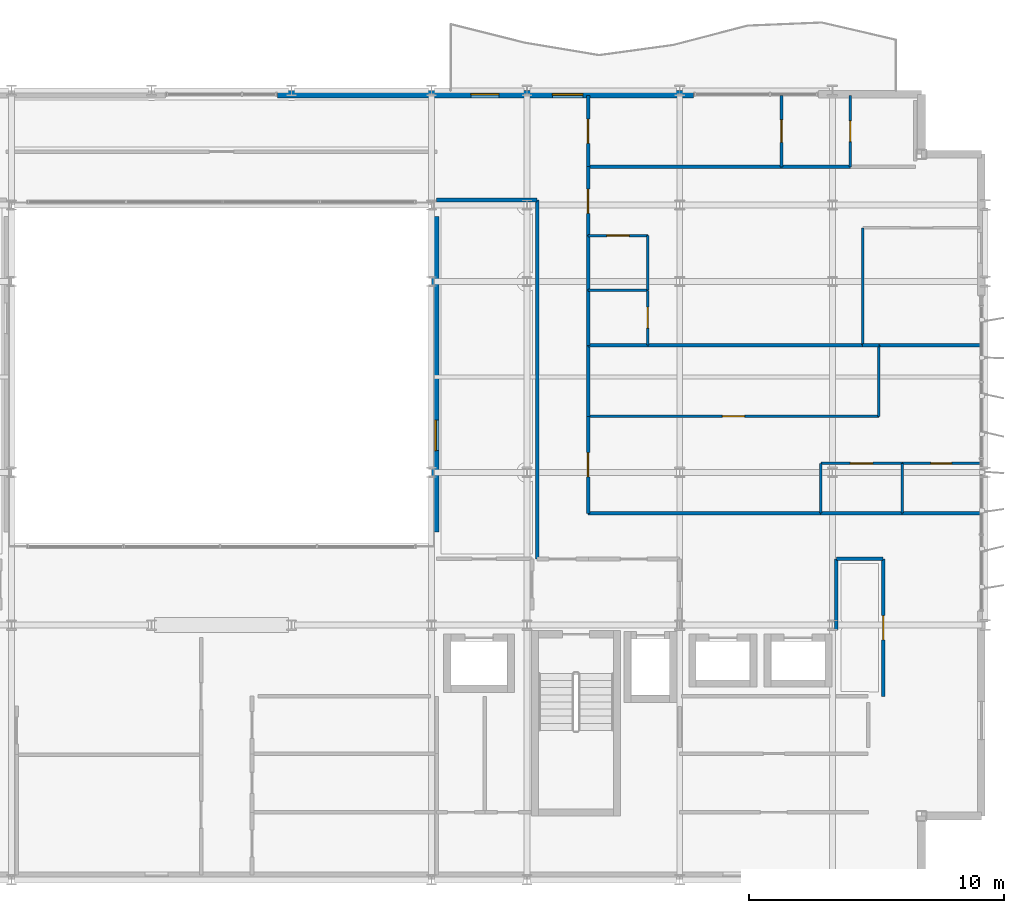
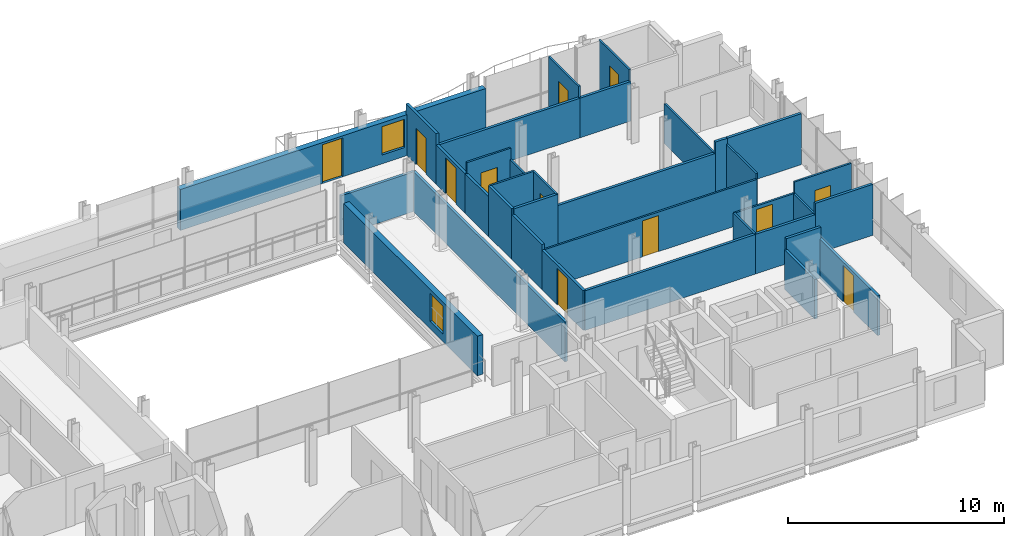
# One storey, part 33 of 39: 35 walls, 12 doors, 2 windows, 14 openings.
"""IFC4 building model written with IfcOpenShell, lengths in metres."""

from ifc_helpers import new_model, si_unit, direction, frame, frame_2d, origin, place, context, subcontext, project, spatial, rectangle, extrude, material, layer, layer_set, type_object, element, fill, save


model = new_model("IFC4")

# Units and contexts
model_context = context("Model", 3, precision=1e-05, world=origin(), true_north=direction((0.0, 1.0)))
body_context = subcontext(model_context, "Body", "Model", "MODEL_VIEW")
ifc_project = project(units=[si_unit("LENGTHUNIT", "METRE"), si_unit("AREAUNIT", "SQUARE_METRE"), si_unit("VOLUMEUNIT", "CUBIC_METRE"), si_unit("PLANEANGLEUNIT", "RADIAN"), si_unit("MASSUNIT", "GRAM", prefix="KILO")], contexts=[model_context])

# Site, building, storey
site_placement = place(None, origin())
site = spatial("IfcSite", under=ifc_project, at=site_placement, CompositionType="ELEMENT")
building_placement = place(site_placement, origin())
building = spatial("IfcBuilding", under=site, at=building_placement, Name="Brevholm Reach", CompositionType="ELEMENT")
storey_placement = place(building_placement, frame((0.0, 0.0, 154.199951171875)))
storey = spatial("IfcBuildingStorey", under=building, at=storey_placement, Name="L46", CompositionType="ELEMENT", Elevation=154.199951171875)

# Wall, openings, door, window
ifc_material_1 = material(Name="Concrete C40/50", Category="concrete")
ifc_layer_1 = layer(ifc_material_1, 0.300048828125)
ifc_layer_set_1 = layer_set([ifc_layer_1], Name="Concrete C40/50")
wall_type_1 = type_object("IfcWallType", Name="WAL-EXT-300", PredefinedType="STANDARD", material=ifc_layer_set_1)
wall_1_placement = place(storey_placement, frame((32.199951171875, 30.85009765625, 0.0), z_axis=(0.0, 0.0, 1.0), x_axis=(1.0, 0.0, 0.0)))
wall_1 = element("IfcWall", 1, at=wall_1_placement, inside=storey, type_object=wall_type_1, Name="L46 Facade Wall WAL-L46-NP-ER", PredefinedType="STANDARD", context=body_context, shape_type="SweptSolid", body=[
    extrude(rectangle(XDim=16.35009765625, YDim=0.300048828125, at=frame_2d((8.175048828125, 0.0))), origin(), (0.0, 0.0, 1.0), 2.322021484375),
])
opening_1_placement = place(wall_1_placement, frame((7.60009765625, 0.0, 0.0)))
opening_1 = element("IfcOpeningElement", 2, at=opening_1_placement, cuts=wall_1, Name="Opening BD-01", PredefinedType="OPENING", context=body_context, shape_type="SweptSolid", body=[
    extrude(rectangle(XDim=1.10009765625, YDim=2.199951171875, at=frame_2d((0.550048828125, 1.10009765625))), frame((0.0, 0.159912109375, 0.0), z_axis=(0.0, -1.0, 0.0), x_axis=(1.0, 0.0, 0.0)), (0.0, 0.0, 1.0), 0.320068359375),
])
opening_2_placement = place(wall_1_placement, frame((10.800048828125, 0.0, 0.501953125)))
opening_2 = element("IfcOpeningElement", 3, at=opening_2_placement, cuts=wall_1, Name="Opening WN-08", PredefinedType="OPENING", context=body_context, shape_type="SweptSolid", body=[
    extrude(rectangle(XDim=1.199951171875, YDim=1.60009765625, at=frame_2d((0.60009765625, 0.800048828125))), frame((0.0, 0.159912109375, 0.0), z_axis=(0.0, -1.0, 0.0), x_axis=(1.0, 0.0, 0.0)), (0.0, 0.0, 1.0), 0.320068359375),
])
ifc_material_2 = material(Name="Dark Anodised Aluminium and Triple-Glazed Glass", Category="aluminium")
door_type_1 = type_object("IfcDoorType", Name="DOR-BALC-1100", OperationType="NOTDEFINED", PredefinedType="DOOR", material=ifc_material_2)
door_1_placement = place(opening_1_placement, origin())
door_1 = element("IfcDoor", 4, at=door_1_placement, inside=storey, type_object=door_type_1, Name="L46 Exterior Door DOR-L46-BL-NE", OperationType="SINGLE_SWING_LEFT", OverallHeight=2.199951171875, OverallWidth=1.10009765625, PredefinedType="DOOR", context=body_context, shape_type="SweptSolid", body=[
    extrude(rectangle(XDim=1.10009765625, YDim=2.199951171875, at=frame_2d((0.550048828125, 1.10009765625))), frame((0.0, 0.02490234375, 0.0), z_axis=(0.0, -1.0, 0.0), x_axis=(1.0, 0.0, 0.0)), (0.0, 0.0, 1.0), 0.050048828125),
])
fill(opening_1, door_1)
ifc_material_3 = material(Name="Dark Anodised Aluminium and Solar-Control IGU Glass", Category="aluminium")
window_type = type_object("IfcWindowType", Name="WIN-RES-1200", PartitioningType="SINGLE_PANEL", PredefinedType="WINDOW", material=ifc_material_3)
window_1_placement = place(opening_2_placement, origin())
window_1 = element("IfcWindow", 5, at=window_1_placement, inside=storey, type_object=window_type, Name="L46 Window WIN-L46-NP-ER1", OverallHeight=1.60009765625, OverallWidth=1.199951171875, PartitioningType="SINGLE_PANEL", PredefinedType="WINDOW", context=body_context, shape_type="SweptSolid", body=[
    extrude(rectangle(XDim=1.199951171875, YDim=1.60009765625, at=frame_2d((0.60009765625, 0.800048828125))), frame((0.0, 0.030029296875, 0.0), z_axis=(0.0, -1.0, 0.0), x_axis=(1.0, 0.0, 0.0)), (0.0, 0.0, 1.0), 0.06005859375),
])
fill(opening_2, window_1)

# Wall, opening, window
wall_2_placement = place(storey_placement, frame((38.39990234375, 13.64990234375, 0.0), z_axis=(0.0, 0.0, 1.0), x_axis=(0.0, 1.0, 0.0)))
wall_2 = element("IfcWall", 6, at=wall_2_placement, inside=storey, type_object=wall_type_1, Name="L46 Facade Wall WAL-L46-AT-E", PredefinedType="STANDARD", context=body_context, shape_type="SweptSolid", body=[
    extrude(rectangle(XDim=12.400146484375, YDim=0.300048828125, at=frame_2d((6.2001953125, 0.0))), origin(), (0.0, 0.0, 1.0), 2.242919921875),
])
opening_3_placement = place(wall_2_placement, frame((3.199951171875, 0.0, 0.423095703125)))
opening_3 = element("IfcOpeningElement", 7, at=opening_3_placement, cuts=wall_2, Name="Opening WN-08", PredefinedType="OPENING", context=body_context, shape_type="SweptSolid", body=[
    extrude(rectangle(XDim=1.199951171875, YDim=1.60009765625, at=frame_2d((0.60009765625, 0.800048828125))), frame((0.0, 0.159912109375, 0.0), z_axis=(0.0, -1.0, 0.0), x_axis=(1.0, 0.0, 0.0)), (0.0, 0.0, 1.0), 0.320068359375),
])
window_2_placement = place(opening_3_placement, origin())
window_2 = element("IfcWindow", 8, at=window_2_placement, inside=storey, type_object=window_type, Name="L46 Window WIN-L46-AT-E1", OverallHeight=1.60009765625, OverallWidth=1.199951171875, PartitioningType="SINGLE_PANEL", PredefinedType="WINDOW", context=body_context, shape_type="SweptSolid", body=[
    extrude(rectangle(XDim=1.199951171875, YDim=1.60009765625, at=frame_2d((0.60009765625, 0.800048828125))), frame((0.0, 0.030029296875, 0.0), z_axis=(0.0, -1.0, 0.0), x_axis=(1.0, 0.0, 0.0)), (0.0, 0.0, 1.0), 0.06005859375),
])
fill(opening_3, window_2)

# Wall
ifc_material_4 = material(Name="Moisture-Resistant Acoustic Gypsum Stud Partition 100 mm", Category="gypsum")
ifc_layer_2 = layer(ifc_material_4, 0.10009765625)
ifc_layer_set_2 = layer_set([ifc_layer_2], Name="Moisture-Resistant Acoustic Gypsum Stud Partition 100 mm")
wall_type_2 = type_object("IfcWallType", Name="WAL-PRT-100", PredefinedType="PARTITIONING", material=ifc_layer_set_2)
wall_3_placement = place(storey_placement, frame((56.75, 14.404052734375, 0.0), z_axis=(0.0, 0.0, 1.0), x_axis=(0.0, 1.0, 0.0)))
element("IfcWall", 9, at=wall_3_placement, inside=storey, type_object=wall_type_2, Name="L46 Internal Partition 095", PredefinedType="PARTITIONING", context=body_context, shape_type="SweptSolid", body=[
    extrude(rectangle(XDim=1.946044921875, YDim=0.10009765625, at=frame_2d((0.97314453125, 0.0))), origin(), (0.0, 0.0, 1.0), 2.242919921875),
])

# Wall, opening, door
wall_4_placement = place(storey_placement, frame((56.75, 16.35009765625, 0.0), z_axis=(0.0, 0.0, 1.0), x_axis=(1.0, 0.0, 0.0)))
wall_4 = element("IfcWall", 10, at=wall_4_placement, inside=storey, type_object=wall_type_2, Name="L46 Internal Partition 096", PredefinedType="PARTITIONING", context=body_context, shape_type="SweptSolid", body=[
    extrude(rectangle(XDim=3.050048828125, YDim=0.10009765625, at=frame_2d((1.52490234375, 0.0))), origin(), (0.0, 0.0, 1.0), 2.880126953125),
])
opening_4_placement = place(wall_4_placement, frame((1.114990234375, 0.0, 0.0)))
opening_4 = element("IfcOpeningElement", 11, at=opening_4_placement, cuts=wall_4, Name="Opening ID-03", PredefinedType="OPENING", context=body_context, shape_type="SweptSolid", body=[
    extrude(rectangle(XDim=0.820068359375, YDim=2.02001953125, at=frame_2d((0.41015625, 1.010009765625))), frame((0.0, 0.06005859375, 0.0), z_axis=(0.0, -1.0, 0.0), x_axis=(1.0, 0.0, 0.0)), (0.0, 0.0, 1.0), 0.1201171875),
])
ifc_material_5 = material(Name="Moisture-Resistant Painted Timber Internal Bathroom Door", Category="wood")
door_type_2 = type_object("IfcDoorType", Name="DOR-BATH-820", OperationType="NOTDEFINED", PredefinedType="DOOR", material=ifc_material_5)
door_2_placement = place(opening_4_placement, origin())
door_2 = element("IfcDoor", 12, at=door_2_placement, inside=storey, type_object=door_type_2, Name="L46 Internal Door 040", OperationType="SINGLE_SWING_RIGHT", OverallHeight=2.02001953125, OverallWidth=0.820068359375, PredefinedType="DOOR", context=body_context, shape_type="SweptSolid", body=[
    extrude(rectangle(XDim=0.820068359375, YDim=2.02001953125, at=frame_2d((0.41015625, 1.010009765625))), frame((0.0, 0.02490234375, 0.0), z_axis=(0.0, -1.0, 0.0), x_axis=(1.0, 0.0, 0.0)), (0.0, 0.0, 1.0), 0.050048828125),
])
fill(opening_4, door_2)

wall_5_placement = place(storey_placement, frame((53.550048828125, 16.35009765625, 0.0), z_axis=(0.0, 0.0, 1.0), x_axis=(1.0, 0.0, 0.0)))
wall_5 = element("IfcWall", 13, at=wall_5_placement, inside=storey, type_object=wall_type_2, Name="L46 Internal Partition 097", PredefinedType="PARTITIONING", context=body_context, shape_type="SweptSolid", body=[
    extrude(rectangle(XDim=3.196044921875, YDim=0.10009765625, at=frame_2d((1.59814453125, 0.0))), origin(), (0.0, 0.0, 1.0), 2.242919921875),
])
opening_5_placement = place(wall_5_placement, frame((1.157958984375, 0.0, 0.0)))
opening_5 = element("IfcOpeningElement", 14, at=opening_5_placement, cuts=wall_5, Name="Opening ID-01", PredefinedType="OPENING", context=body_context, shape_type="SweptSolid", body=[
    extrude(rectangle(XDim=0.8798828125, YDim=2.0400390625, at=frame_2d((0.43994140625, 1.02001953125))), frame((0.0, 0.06005859375, 0.0), z_axis=(0.0, -1.0, 0.0), x_axis=(1.0, 0.0, 0.0)), (0.0, 0.0, 1.0), 0.1201171875),
])
ifc_material_6 = material(Name="Lacquered Ash Solid-Core Acoustic Internal Door", Category="timber")
door_type_3 = type_object("IfcDoorType", Name="DOR-INT-880", OperationType="NOTDEFINED", PredefinedType="DOOR", material=ifc_material_6)
door_3_placement = place(opening_5_placement, origin())
door_3 = element("IfcDoor", 15, at=door_3_placement, inside=storey, type_object=door_type_3, Name="L46 Internal Door 041", OperationType="SINGLE_SWING_LEFT", OverallHeight=2.0400390625, OverallWidth=0.8798828125, PredefinedType="DOOR", context=body_context, shape_type="SweptSolid", body=[
    extrude(rectangle(XDim=0.8798828125, YDim=2.0400390625, at=frame_2d((0.43994140625, 1.02001953125))), frame((0.0, 0.02490234375, 0.0), z_axis=(0.0, -1.0, 0.0), x_axis=(1.0, 0.0, 0.0)), (0.0, 0.0, 1.0), 0.050048828125),
])
fill(opening_5, door_3)

# Wall
wall_6_placement = place(storey_placement, frame((53.550048828125, 14.404052734375, 0.0), z_axis=(0.0, 0.0, 1.0), x_axis=(0.0, 1.0, 0.0)))
element("IfcWall", 16, at=wall_6_placement, inside=storey, type_object=wall_type_2, Name="L46 Internal Partition 098", PredefinedType="PARTITIONING", context=body_context, shape_type="SweptSolid", body=[
    extrude(rectangle(XDim=1.946044921875, YDim=0.10009765625, at=frame_2d((0.97314453125, 0.0))), origin(), (0.0, 0.0, 1.0), 2.242919921875),
])

# Wall, opening, door
wall_7_placement = place(storey_placement, frame((44.404052734375, 18.199951171875, 0.0), z_axis=(0.0, 0.0, 1.0), x_axis=(1.0, 0.0, 0.0)))
wall_7 = element("IfcWall", 17, at=wall_7_placement, inside=storey, type_object=wall_type_2, Name="L46 Internal Partition 099", PredefinedType="PARTITIONING", context=body_context, shape_type="SweptSolid", body=[
    extrude(rectangle(XDim=11.425048828125, YDim=0.10009765625, at=frame_2d((5.71240234375, 0.0))), origin(), (0.0, 0.0, 1.0), 2.242919921875),
])
opening_6_placement = place(wall_7_placement, frame((5.2724609375, 0.0, 0.0)))
opening_6 = element("IfcOpeningElement", 18, at=opening_6_placement, cuts=wall_7, Name="Opening ID-01", PredefinedType="OPENING", context=body_context, shape_type="SweptSolid", body=[
    extrude(rectangle(XDim=0.8798828125, YDim=2.0400390625, at=frame_2d((0.43994140625, 1.02001953125))), frame((0.0, 0.06005859375, 0.0), z_axis=(0.0, -1.0, 0.0), x_axis=(1.0, 0.0, 0.0)), (0.0, 0.0, 1.0), 0.1201171875),
])
door_4_placement = place(opening_6_placement, origin())
door_4 = element("IfcDoor", 19, at=door_4_placement, inside=storey, type_object=door_type_3, Name="L46 Internal Door 042", OperationType="SINGLE_SWING_RIGHT", OverallHeight=2.0400390625, OverallWidth=0.8798828125, PredefinedType="DOOR", context=body_context, shape_type="SweptSolid", body=[
    extrude(rectangle(XDim=0.8798828125, YDim=2.0400390625, at=frame_2d((0.43994140625, 1.02001953125))), frame((0.0, 0.02490234375, 0.0), z_axis=(0.0, -1.0, 0.0), x_axis=(1.0, 0.0, 0.0)), (0.0, 0.0, 1.0), 0.050048828125),
])
fill(opening_6, door_4)

# Walls
wall_8_placement = place(storey_placement, frame((55.8291015625, 18.199951171875, 0.0), z_axis=(0.0, 0.0, 1.0), x_axis=(0.0, 1.0, 0.0)))
element("IfcWall", 20, at=wall_8_placement, inside=storey, type_object=wall_type_2, Name="L46 Internal Partition 100", PredefinedType="PARTITIONING", context=body_context, shape_type="SweptSolid", body=[
    extrude(rectangle(XDim=2.800048828125, YDim=0.10009765625, at=frame_2d((1.39990234375, 0.0))), origin(), (0.0, 0.0, 1.0), 2.5517578125),
])
wall_9_placement = place(storey_placement, frame((44.404052734375, 23.14990234375, 0.0), z_axis=(0.0, 0.0, 1.0), x_axis=(1.0, 0.0, 0.0)))
element("IfcWall", 21, at=wall_9_placement, inside=storey, type_object=wall_type_2, Name="L46 Internal Partition 105", PredefinedType="PARTITIONING", context=body_context, shape_type="SweptSolid", body=[
    extrude(rectangle(XDim=2.345947265625, YDim=0.10009765625, at=frame_2d((1.1728515625, 0.0))), origin(), (0.0, 0.0, 1.0), 2.880126953125),
])

# Wall, opening, door
wall_10_placement = place(storey_placement, frame((46.75, 21.00390625, 0.0), z_axis=(0.0, 0.0, 1.0), x_axis=(0.0, 1.0, 0.0)))
wall_10 = element("IfcWall", 22, at=wall_10_placement, inside=storey, type_object=wall_type_2, Name="L46 Internal Partition 106", PredefinedType="PARTITIONING", context=body_context, shape_type="SweptSolid", body=[
    extrude(rectangle(XDim=2.14599609375, YDim=0.10009765625, at=frame_2d((1.072998046875, 0.0))), origin(), (0.0, 0.0, 1.0), 2.880126953125),
])
opening_7_placement = place(wall_10_placement, frame((0.6630859375, 0.0, 0.0)))
opening_7 = element("IfcOpeningElement", 23, at=opening_7_placement, cuts=wall_10, Name="Opening ID-03", PredefinedType="OPENING", context=body_context, shape_type="SweptSolid", body=[
    extrude(rectangle(XDim=0.820068359375, YDim=2.02001953125, at=frame_2d((0.41015625, 1.010009765625))), frame((0.0, 0.06005859375, 0.0), z_axis=(0.0, -1.0, 0.0), x_axis=(1.0, 0.0, 0.0)), (0.0, 0.0, 1.0), 0.1201171875),
])
door_5_placement = place(opening_7_placement, origin())
door_5 = element("IfcDoor", 24, at=door_5_placement, inside=storey, type_object=door_type_2, Name="L46 Internal Door 043", OperationType="SINGLE_SWING_LEFT", OverallHeight=2.02001953125, OverallWidth=0.820068359375, PredefinedType="DOOR", context=body_context, shape_type="SweptSolid", body=[
    extrude(rectangle(XDim=0.820068359375, YDim=2.02001953125, at=frame_2d((0.41015625, 1.010009765625))), frame((0.0, 0.02490234375, 0.0), z_axis=(0.0, -1.0, 0.0), x_axis=(1.0, 0.0, 0.0)), (0.0, 0.0, 1.0), 0.050048828125),
])
fill(opening_7, door_5)

# Wall
wall_11_placement = place(storey_placement, frame((46.75, 23.154052734375, 0.0), z_axis=(0.0, 0.0, 1.0), x_axis=(0.0, 1.0, 0.0)))
element("IfcWall", 25, at=wall_11_placement, inside=storey, type_object=wall_type_2, Name="L46 Internal Partition 107", PredefinedType="PARTITIONING", context=body_context, shape_type="SweptSolid", body=[
    extrude(rectangle(XDim=2.14599609375, YDim=0.10009765625, at=frame_2d((1.072998046875, 0.0))), origin(), (0.0, 0.0, 1.0), 2.242919921875),
])

# Wall, opening, door
wall_12_placement = place(storey_placement, frame((44.404052734375, 25.300048828125, 0.0), z_axis=(0.0, 0.0, 1.0), x_axis=(1.0, 0.0, 0.0)))
wall_12 = element("IfcWall", 26, at=wall_12_placement, inside=storey, type_object=wall_type_2, Name="L46 Internal Partition 108", PredefinedType="PARTITIONING", context=body_context, shape_type="SweptSolid", body=[
    extrude(rectangle(XDim=2.345947265625, YDim=0.10009765625, at=frame_2d((1.1728515625, 0.0))), origin(), (0.0, 0.0, 1.0), 2.880126953125),
])
opening_8_placement = place(wall_12_placement, frame((0.73291015625, 0.0, 0.0)))
opening_8 = element("IfcOpeningElement", 27, at=opening_8_placement, cuts=wall_12, Name="Opening ID-01", PredefinedType="OPENING", context=body_context, shape_type="SweptSolid", body=[
    extrude(rectangle(XDim=0.8798828125, YDim=2.0400390625, at=frame_2d((0.43994140625, 1.02001953125))), frame((0.0, 0.06005859375, 0.0), z_axis=(0.0, -1.0, 0.0), x_axis=(1.0, 0.0, 0.0)), (0.0, 0.0, 1.0), 0.1201171875),
])
door_6_placement = place(opening_8_placement, origin())
door_6 = element("IfcDoor", 28, at=door_6_placement, inside=storey, type_object=door_type_3, Name="L46 Internal Door 044", OperationType="SINGLE_SWING_RIGHT", OverallHeight=2.0400390625, OverallWidth=0.8798828125, PredefinedType="DOOR", context=body_context, shape_type="SweptSolid", body=[
    extrude(rectangle(XDim=0.8798828125, YDim=2.0400390625, at=frame_2d((0.43994140625, 1.02001953125))), frame((0.0, 0.02490234375, 0.0), z_axis=(0.0, -1.0, 0.0), x_axis=(1.0, 0.0, 0.0)), (0.0, 0.0, 1.0), 0.050048828125),
])
fill(opening_8, door_6)

# Wall
wall_13_placement = place(storey_placement, frame((55.199951171875, 21.00390625, 0.0), z_axis=(0.0, 0.0, 1.0), x_axis=(0.0, 1.0, 0.0)))
element("IfcWall", 29, at=wall_13_placement, inside=storey, type_object=wall_type_2, Name="L46 Internal Partition 110", PredefinedType="PARTITIONING", context=body_context, shape_type="SweptSolid", body=[
    extrude(rectangle(XDim=4.59619140625, YDim=0.10009765625, at=frame_2d((2.298095703125, 0.0))), origin(), (0.0, 0.0, 1.0), 2.242919921875),
])

# Wall, opening, door
wall_14_placement = place(storey_placement, frame((54.699951171875, 28.00390625, 0.0), z_axis=(0.0, 0.0, 1.0), x_axis=(0.0, 1.0, 0.0)))
wall_14 = element("IfcWall", 30, at=wall_14_placement, inside=storey, type_object=wall_type_2, Name="L46 Internal Partition 116", PredefinedType="PARTITIONING", context=body_context, shape_type="SweptSolid", body=[
    extrude(rectangle(XDim=2.796142578125, YDim=0.10009765625, at=frame_2d((1.39794921875, 0.0))), origin(), (0.0, 0.0, 1.0), 2.880126953125),
])
opening_9_placement = place(wall_14_placement, frame((0.988037109375, 0.0, 0.0)))
opening_9 = element("IfcOpeningElement", 31, at=opening_9_placement, cuts=wall_14, Name="Opening ID-03", PredefinedType="OPENING", context=body_context, shape_type="SweptSolid", body=[
    extrude(rectangle(XDim=0.820068359375, YDim=2.02001953125, at=frame_2d((0.41015625, 1.010009765625))), frame((0.0, 0.06005859375, 0.0), z_axis=(0.0, -1.0, 0.0), x_axis=(1.0, 0.0, 0.0)), (0.0, 0.0, 1.0), 0.1201171875),
])
door_7_placement = place(opening_9_placement, origin())
door_7 = element("IfcDoor", 32, at=door_7_placement, inside=storey, type_object=door_type_2, Name="L46 Access Door 050", OperationType="SINGLE_SWING_RIGHT", OverallHeight=2.02001953125, OverallWidth=0.820068359375, PredefinedType="DOOR", context=body_context, shape_type="SweptSolid", body=[
    extrude(rectangle(XDim=0.820068359375, YDim=2.02001953125, at=frame_2d((0.41015625, 1.010009765625))), frame((0.0, 0.02490234375, 0.0), z_axis=(0.0, -1.0, 0.0), x_axis=(1.0, 0.0, 0.0)), (0.0, 0.0, 1.0), 0.050048828125),
])
fill(opening_9, door_7)

wall_15_placement = place(storey_placement, frame((52.0, 28.00390625, 0.0), z_axis=(0.0, 0.0, 1.0), x_axis=(0.0, 1.0, 0.0)))
wall_15 = element("IfcWall", 33, at=wall_15_placement, inside=storey, type_object=wall_type_2, Name="L46 Internal Partition 117", PredefinedType="PARTITIONING", context=body_context, shape_type="SweptSolid", body=[
    extrude(rectangle(XDim=2.796142578125, YDim=0.10009765625, at=frame_2d((1.39794921875, 0.0))), origin(), (0.0, 0.0, 1.0), 2.880126953125),
])
opening_10_placement = place(wall_15_placement, frame((0.9580078125, 0.0, 0.0)))
opening_10 = element("IfcOpeningElement", 34, at=opening_10_placement, cuts=wall_15, Name="Opening ID-01", PredefinedType="OPENING", context=body_context, shape_type="SweptSolid", body=[
    extrude(rectangle(XDim=0.8798828125, YDim=2.0400390625, at=frame_2d((0.43994140625, 1.02001953125))), frame((0.0, 0.06005859375, 0.0), z_axis=(0.0, -1.0, 0.0), x_axis=(1.0, 0.0, 0.0)), (0.0, 0.0, 1.0), 0.1201171875),
])
door_8_placement = place(opening_10_placement, origin())
door_8 = element("IfcDoor", 35, at=door_8_placement, inside=storey, type_object=door_type_3, Name="L46 Internal Door 047", OperationType="SINGLE_SWING_LEFT", OverallHeight=2.0400390625, OverallWidth=0.8798828125, PredefinedType="DOOR", context=body_context, shape_type="SweptSolid", body=[
    extrude(rectangle(XDim=0.8798828125, YDim=2.0400390625, at=frame_2d((0.43994140625, 1.02001953125))), frame((0.0, 0.02490234375, 0.0), z_axis=(0.0, -1.0, 0.0), x_axis=(1.0, 0.0, 0.0)), (0.0, 0.0, 1.0), 0.050048828125),
])
fill(opening_10, door_8)

ifc_material_7 = material(Name="Twin-Stud Acoustic Fire-Rated Gypsum Partition 140 mm", Category="gypsum")
ifc_layer_3 = layer(ifc_material_7, 0.139892578125)
ifc_layer_set_3 = layer_set([ifc_layer_3], Name="Twin-Stud Acoustic Fire-Rated Gypsum Partition 140 mm")
wall_type_3 = type_object("IfcWallType", Name="WAL-PRT-140", PredefinedType="PARTITIONING", material=ifc_layer_set_3)
wall_16_placement = place(storey_placement, frame((56.0, 7.188720703125, 0.0), z_axis=(0.0, 0.0, 1.0), x_axis=(0.0, 1.0, 0.0)))
wall_16 = element("IfcWall", 36, at=wall_16_placement, inside=storey, type_object=wall_type_3, Name="L46 Internal Partition 014", PredefinedType="PARTITIONING", context=body_context, shape_type="SweptSolid", body=[
    extrude(rectangle(XDim=5.411376953125, YDim=0.139892578125, at=frame_2d((2.70556640625, 0.0))), origin(), (0.0, 0.0, 1.0), 2.242919921875),
])
opening_11_placement = place(wall_16_placement, frame((2.230712890625, 0.0, 0.0)))
opening_11 = element("IfcOpeningElement", 37, at=opening_11_placement, cuts=wall_16, Name="Opening ID-30", PredefinedType="OPENING", context=body_context, shape_type="SweptSolid", body=[
    extrude(rectangle(XDim=0.949951171875, YDim=2.050048828125, at=frame_2d((0.47509765625, 1.02490234375))), frame((0.0, 0.079833984375, 0.0), z_axis=(0.0, -1.0, 0.0), x_axis=(1.0, 0.0, 0.0)), (0.0, 0.0, 1.0), 0.159912109375),
])
ifc_material_8 = material(Name="European Oak Veneered Solid-Core Fire Entrance Door", Category="timber")
door_type_4 = type_object("IfcDoorType", Name="DOR-FLT-FD30S", OperationType="NOTDEFINED", PredefinedType="DOOR", material=ifc_material_8)
door_9_placement = place(opening_11_placement, origin())
door_9 = element("IfcDoor", 38, at=door_9_placement, inside=storey, type_object=door_type_4, Name="L46 Internal Door 007", OperationType="SINGLE_SWING_LEFT", OverallHeight=2.050048828125, OverallWidth=0.949951171875, PredefinedType="DOOR", context=body_context, shape_type="SweptSolid", body=[
    extrude(rectangle(XDim=0.949951171875, YDim=2.050048828125, at=frame_2d((0.47509765625, 1.02490234375))), frame((0.0, 0.02490234375, 0.0), z_axis=(0.0, -1.0, 0.0), x_axis=(1.0, 0.0, 0.0)), (0.0, 0.0, 1.0), 0.050048828125),
])
fill(opening_11, door_9)

# Walls
wall_17_placement = place(storey_placement, frame((54.14990234375, 9.800048828125, 0.0), z_axis=(0.0, 0.0, 1.0), x_axis=(0.0, 1.0, 0.0)))
element("IfcWall", 39, at=wall_17_placement, inside=storey, type_object=wall_type_3, Name="L46 Internal Partition 035", PredefinedType="PARTITIONING", context=body_context, shape_type="SweptSolid", body=[
    extrude(rectangle(XDim=2.800048828125, YDim=0.139892578125, at=frame_2d((1.39990234375, 0.0))), origin(), (0.0, 0.0, 1.0), 2.242919921875),
])
wall_18_placement = place(storey_placement, frame((54.154052734375, 12.60009765625, 0.0), z_axis=(0.0, 0.0, 1.0), x_axis=(1.0, 0.0, 0.0)))
element("IfcWall", 40, at=wall_18_placement, inside=storey, type_object=wall_type_3, Name="L46 Internal Partition 036", PredefinedType="PARTITIONING", context=body_context, shape_type="SweptSolid", body=[
    extrude(rectangle(XDim=1.842041015625, YDim=0.139892578125, at=frame_2d((0.9208984375, 0.0))), origin(), (0.0, 0.0, 1.0), 2.880126953125),
])
wall_19_placement = place(storey_placement, frame((44.39990234375, 18.188720703125, 0.0), z_axis=(0.0, 0.0, 1.0), x_axis=(0.0, 1.0, 0.0)))
element("IfcWall", 41, at=wall_19_placement, inside=storey, type_object=wall_type_3, Name="L46 Internal Partition 043", PredefinedType="PARTITIONING", context=body_context, shape_type="SweptSolid", body=[
    extrude(rectangle(XDim=2.822509765625, YDim=0.139892578125, at=frame_2d((1.4111328125, 0.0))), origin(), (0.0, 0.0, 1.0), 2.5517578125),
])

# Wall, opening, door
wall_20_placement = place(storey_placement, frame((44.39990234375, 14.392578125, 0.0), z_axis=(0.0, 0.0, 1.0), x_axis=(0.0, 1.0, 0.0)))
wall_20 = element("IfcWall", 42, at=wall_20_placement, inside=storey, type_object=wall_type_3, Name="L46 Internal Partition 044", PredefinedType="PARTITIONING", context=body_context, shape_type="SweptSolid", body=[
    extrude(rectangle(XDim=3.814697265625, YDim=0.139892578125, at=frame_2d((1.9072265625, 0.0))), origin(), (0.0, 0.0, 1.0), 2.242919921875),
])
opening_12_placement = place(wall_20_placement, frame((1.432373046875, 0.0, 0.0)))
opening_12 = element("IfcOpeningElement", 43, at=opening_12_placement, cuts=wall_20, Name="Opening ID-30", PredefinedType="OPENING", context=body_context, shape_type="SweptSolid", body=[
    extrude(rectangle(XDim=0.949951171875, YDim=2.050048828125, at=frame_2d((0.47509765625, 1.02490234375))), frame((0.0, 0.079833984375, 0.0), z_axis=(0.0, -1.0, 0.0), x_axis=(1.0, 0.0, 0.0)), (0.0, 0.0, 1.0), 0.159912109375),
])
door_10_placement = place(opening_12_placement, origin())
door_10 = element("IfcDoor", 44, at=door_10_placement, inside=storey, type_object=door_type_4, Name="L46 Internal Door 026", OperationType="SINGLE_SWING_RIGHT", OverallHeight=2.050048828125, OverallWidth=0.949951171875, PredefinedType="DOOR", context=body_context, shape_type="SweptSolid", body=[
    extrude(rectangle(XDim=0.949951171875, YDim=2.050048828125, at=frame_2d((0.47509765625, 1.02490234375))), frame((0.0, 0.02490234375, 0.0), z_axis=(0.0, -1.0, 0.0), x_axis=(1.0, 0.0, 0.0)), (0.0, 0.0, 1.0), 0.050048828125),
])
fill(opening_12, door_10)

# Walls
wall_21_placement = place(storey_placement, frame((44.39990234375, 20.99267578125, 0.0), z_axis=(0.0, 0.0, 1.0), x_axis=(0.0, 1.0, 0.0)))
element("IfcWall", 45, at=wall_21_placement, inside=storey, type_object=wall_type_3, Name="L46 Internal Partition 045", PredefinedType="PARTITIONING", context=body_context, shape_type="SweptSolid", body=[
    extrude(rectangle(XDim=2.168701171875, YDim=0.139892578125, at=frame_2d((1.08447265625, 0.0))), origin(), (0.0, 0.0, 1.0), 2.880126953125),
])
wall_22_placement = place(storey_placement, frame((44.39990234375, 23.142578125, 0.0), z_axis=(0.0, 0.0, 1.0), x_axis=(0.0, 1.0, 0.0)))
element("IfcWall", 46, at=wall_22_placement, inside=storey, type_object=wall_type_3, Name="L46 Internal Partition 046", PredefinedType="PARTITIONING", context=body_context, shape_type="SweptSolid", body=[
    extrude(rectangle(XDim=2.168701171875, YDim=0.139892578125, at=frame_2d((1.08447265625, 0.0))), origin(), (0.0, 0.0, 1.0), 2.242919921875),
])

# Wall, opening, door
wall_23_placement = place(storey_placement, frame((44.39990234375, 25.292724609375, 0.0), z_axis=(0.0, 0.0, 1.0), x_axis=(0.0, 1.0, 0.0)))
wall_23 = element("IfcWall", 47, at=wall_23_placement, inside=storey, type_object=wall_type_3, Name="L46 Internal Partition 047", PredefinedType="PARTITIONING", context=body_context, shape_type="SweptSolid", body=[
    extrude(rectangle(XDim=2.718505859375, YDim=0.139892578125, at=frame_2d((1.359375, 0.0))), origin(), (0.0, 0.0, 1.0), 2.242919921875),
])
opening_13_placement = place(wall_23_placement, frame((0.88427734375, 0.0, 0.0)))
opening_13 = element("IfcOpeningElement", 48, at=opening_13_placement, cuts=wall_23, Name="Opening ID-30", PredefinedType="OPENING", context=body_context, shape_type="SweptSolid", body=[
    extrude(rectangle(XDim=0.949951171875, YDim=2.050048828125, at=frame_2d((0.47509765625, 1.02490234375))), frame((0.0, 0.079833984375, 0.0), z_axis=(0.0, -1.0, 0.0), x_axis=(1.0, 0.0, 0.0)), (0.0, 0.0, 1.0), 0.159912109375),
])
door_11_placement = place(opening_13_placement, origin())
door_11 = element("IfcDoor", 49, at=door_11_placement, inside=storey, type_object=door_type_4, Name="L46 Internal Door 027", OperationType="SINGLE_SWING_LEFT", OverallHeight=2.050048828125, OverallWidth=0.949951171875, PredefinedType="DOOR", context=body_context, shape_type="SweptSolid", body=[
    extrude(rectangle(XDim=0.949951171875, YDim=2.050048828125, at=frame_2d((0.47509765625, 1.02490234375))), frame((0.0, 0.02490234375, 0.0), z_axis=(0.0, -1.0, 0.0), x_axis=(1.0, 0.0, 0.0)), (0.0, 0.0, 1.0), 0.050048828125),
])
fill(opening_13, door_11)

# Wall
wall_24_placement = place(storey_placement, frame((42.39990234375, 12.60400390625, 0.0), z_axis=(0.0, 0.0, 1.0), x_axis=(0.0, 1.0, 0.0)))
element("IfcWall", 50, at=wall_24_placement, inside=storey, type_object=wall_type_3, Name="L46 Internal Partition 048", PredefinedType="PARTITIONING", context=body_context, shape_type="SweptSolid", body=[
    extrude(rectangle(XDim=14.103271484375, YDim=0.139892578125, at=frame_2d((7.0517578125, 0.0))), origin(), (0.0, 0.0, 1.0), 2.242919921875),
])

# Wall, opening, door
wall_25_placement = place(storey_placement, frame((44.39990234375, 27.99267578125, 0.0), z_axis=(0.0, 0.0, 1.0), x_axis=(0.0, 1.0, 0.0)))
wall_25 = element("IfcWall", 51, at=wall_25_placement, inside=storey, type_object=wall_type_3, Name="L46 Internal Partition 049", PredefinedType="PARTITIONING", context=body_context, shape_type="SweptSolid", body=[
    extrude(rectangle(XDim=2.807373046875, YDim=0.139892578125, at=frame_2d((1.40380859375, 0.0))), origin(), (0.0, 0.0, 1.0), 2.880126953125),
])
opening_14_placement = place(wall_25_placement, frame((0.9287109375, 0.0, 0.0)))
opening_14 = element("IfcOpeningElement", 52, at=opening_14_placement, cuts=wall_25, Name="Opening ID-30", PredefinedType="OPENING", context=body_context, shape_type="SweptSolid", body=[
    extrude(rectangle(XDim=0.949951171875, YDim=2.050048828125, at=frame_2d((0.47509765625, 1.02490234375))), frame((0.0, 0.079833984375, 0.0), z_axis=(0.0, -1.0, 0.0), x_axis=(1.0, 0.0, 0.0)), (0.0, 0.0, 1.0), 0.159912109375),
])
door_12_placement = place(opening_14_placement, origin())
door_12 = element("IfcDoor", 53, at=door_12_placement, inside=storey, type_object=door_type_4, Name="L46 Internal Door 028", OperationType="SINGLE_SWING_RIGHT", OverallHeight=2.050048828125, OverallWidth=0.949951171875, PredefinedType="DOOR", context=body_context, shape_type="SweptSolid", body=[
    extrude(rectangle(XDim=0.949951171875, YDim=2.050048828125, at=frame_2d((0.47509765625, 1.02490234375))), frame((0.0, 0.02490234375, 0.0), z_axis=(0.0, -1.0, 0.0), x_axis=(1.0, 0.0, 0.0)), (0.0, 0.0, 1.0), 0.050048828125),
])
fill(opening_14, door_12)

# Walls
wall_26_placement = place(storey_placement, frame((56.73876953125, 14.39990234375, 0.0), z_axis=(0.0, 0.0, 1.0), x_axis=(1.0, 0.0, 0.0)))
element("IfcWall", 54, at=wall_26_placement, inside=storey, type_object=wall_type_3, Name="L46 Internal Partition 050", PredefinedType="PARTITIONING", context=body_context, shape_type="SweptSolid", body=[
    extrude(rectangle(XDim=3.072509765625, YDim=0.139892578125, at=frame_2d((1.5361328125, 0.0))), origin(), (0.0, 0.0, 1.0), 2.880126953125),
])
wall_27_placement = place(storey_placement, frame((53.538818359375, 14.39990234375, 0.0), z_axis=(0.0, 0.0, 1.0), x_axis=(1.0, 0.0, 0.0)))
element("IfcWall", 55, at=wall_27_placement, inside=storey, type_object=wall_type_3, Name="L46 Internal Partition 051", PredefinedType="PARTITIONING", context=body_context, shape_type="SweptSolid", body=[
    extrude(rectangle(XDim=3.218505859375, YDim=0.139892578125, at=frame_2d((1.609375, 0.0))), origin(), (0.0, 0.0, 1.0), 2.242919921875),
])
wall_28_placement = place(storey_placement, frame((44.404052734375, 14.39990234375, 0.0), z_axis=(0.0, 0.0, 1.0), x_axis=(1.0, 0.0, 0.0)))
element("IfcWall", 56, at=wall_28_placement, inside=storey, type_object=wall_type_3, Name="L46 Internal Partition 052", PredefinedType="PARTITIONING", context=body_context, shape_type="SweptSolid", body=[
    extrude(rectangle(XDim=9.1533203125, YDim=0.139892578125, at=frame_2d((4.57666015625, 0.0))), origin(), (0.0, 0.0, 1.0), 2.242919921875),
])
wall_29_placement = place(storey_placement, frame((38.438720703125, 26.699951171875, 0.0), z_axis=(0.0, 0.0, 1.0), x_axis=(1.0, 0.0, 0.0)))
element("IfcWall", 57, at=wall_29_placement, inside=storey, type_object=wall_type_3, Name="L46 Internal Partition 054", PredefinedType="PARTITIONING", context=body_context, shape_type="SweptSolid", body=[
    extrude(rectangle(XDim=3.957275390625, YDim=0.139892578125, at=frame_2d((1.978515625, 0.0))), origin(), (0.0, 0.0, 1.0), 2.242919921875),
])
wall_30_placement = place(storey_placement, frame((44.404052734375, 21.0, 0.0), z_axis=(0.0, 0.0, 1.0), x_axis=(1.0, 0.0, 0.0)))
element("IfcWall", 58, at=wall_30_placement, inside=storey, type_object=wall_type_3, Name="L46 Internal Partition 101", PredefinedType="PARTITIONING", context=body_context, shape_type="SweptSolid", body=[
    extrude(rectangle(XDim=2.357177734375, YDim=0.139892578125, at=frame_2d((1.1787109375, 0.0))), origin(), (0.0, 0.0, 1.0), 2.880126953125),
])
wall_31_placement = place(storey_placement, frame((55.188720703125, 21.0, 0.0), z_axis=(0.0, 0.0, 1.0), x_axis=(1.0, 0.0, 0.0)))
element("IfcWall", 59, at=wall_31_placement, inside=storey, type_object=wall_type_3, Name="L46 Internal Partition 102", PredefinedType="PARTITIONING", context=body_context, shape_type="SweptSolid", body=[
    extrude(rectangle(XDim=0.640380859375, YDim=0.139892578125, at=frame_2d((0.3203125, 0.0))), origin(), (0.0, 0.0, 1.0), 2.880126953125),
])
wall_32_placement = place(storey_placement, frame((46.74267578125, 21.0, 0.0), z_axis=(0.0, 0.0, 1.0), x_axis=(1.0, 0.0, 0.0)))
element("IfcWall", 60, at=wall_32_placement, inside=storey, type_object=wall_type_3, Name="L46 Internal Partition 103", PredefinedType="PARTITIONING", context=body_context, shape_type="SweptSolid", body=[
    extrude(rectangle(XDim=8.464599609375, YDim=0.139892578125, at=frame_2d((4.232421875, 0.0))), origin(), (0.0, 0.0, 1.0), 2.242919921875),
])
wall_33_placement = place(storey_placement, frame((55.8330078125, 21.0, 0.0), z_axis=(0.0, 0.0, 1.0), x_axis=(1.0, 0.0, 0.0)))
element("IfcWall", 61, at=wall_33_placement, inside=storey, type_object=wall_type_3, Name="L46 Internal Partition 104", PredefinedType="PARTITIONING", context=body_context, shape_type="SweptSolid", body=[
    extrude(rectangle(XDim=3.967041015625, YDim=0.139892578125, at=frame_2d((1.9833984375, 0.0))), origin(), (0.0, 0.0, 1.0), 2.880126953125),
])
wall_34_placement = place(storey_placement, frame((51.98876953125, 28.0, 0.0), z_axis=(0.0, 0.0, 1.0), x_axis=(1.0, 0.0, 0.0)))
element("IfcWall", 62, at=wall_34_placement, inside=storey, type_object=wall_type_3, Name="L46 Internal Partition 112", PredefinedType="PARTITIONING", context=body_context, shape_type="SweptSolid", body=[
    extrude(rectangle(XDim=2.718505859375, YDim=0.139892578125, at=frame_2d((1.359375, 0.0))), origin(), (0.0, 0.0, 1.0), 2.242919921875),
])
wall_35_placement = place(storey_placement, frame((44.404052734375, 28.0, 0.0), z_axis=(0.0, 0.0, 1.0), x_axis=(1.0, 0.0, 0.0)))
element("IfcWall", 63, at=wall_35_placement, inside=storey, type_object=wall_type_3, Name="L46 Internal Partition 113", PredefinedType="PARTITIONING", context=body_context, shape_type="SweptSolid", body=[
    extrude(rectangle(XDim=7.603271484375, YDim=0.139892578125, at=frame_2d((3.8017578125, 0.0))), origin(), (0.0, 0.0, 1.0), 2.242919921875),
])

save(model, "model.ifc")
